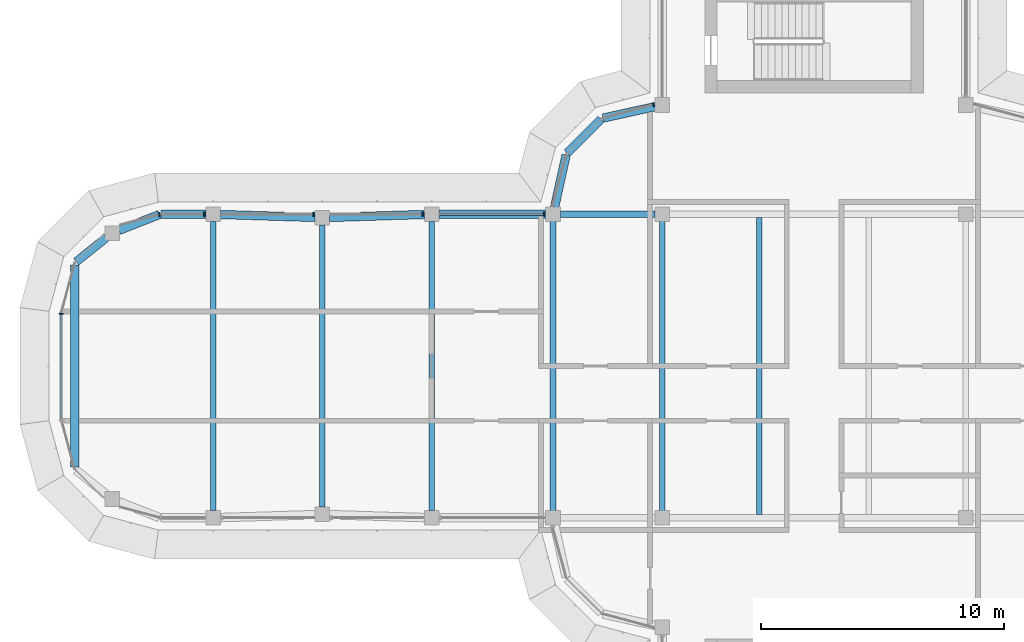
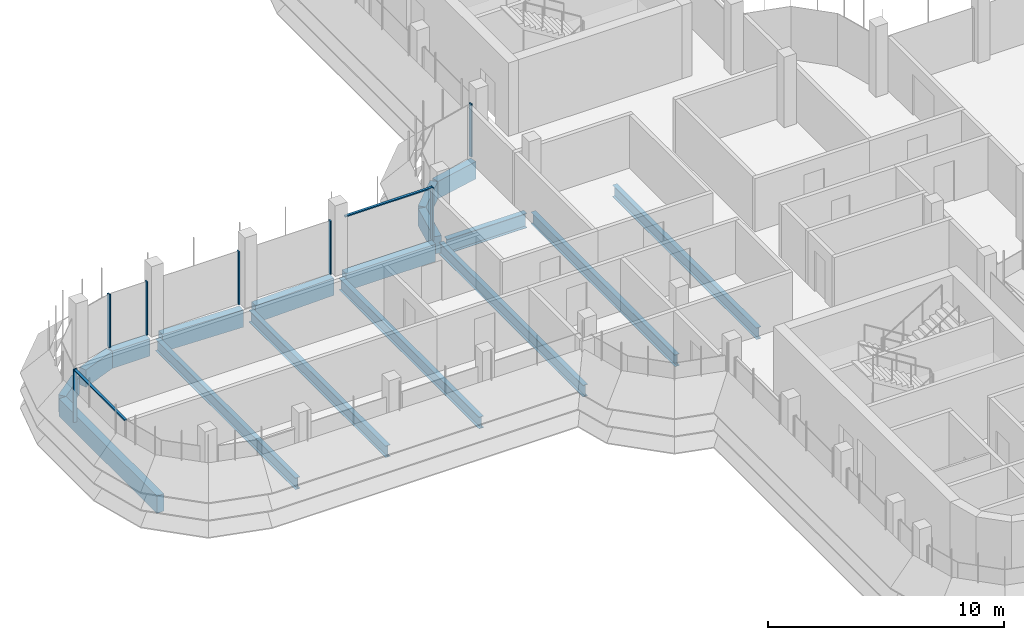
# One storey, part 6 of 19: 17 beams, 9 members, 4 elements without a shape of their own.
"""IFC4 building model written with IfcOpenShell, lengths in metres."""

from ifc_helpers import new_model, si_unit, direction, frame, origin, origin_2d, place, context, subcontext, project, spatial, polyline, rectangle, i_section, outline, extrude, source, transform, mapped, material, material_profile, profile_set, type_object, element, aggregate, save


model = new_model("IFC4")

# Units and contexts
model_context = context("Model", 3, precision=1e-05, world=origin(), true_north=direction((0.0, 1.0)))
body_context = subcontext(model_context, "Body", "Model", "MODEL_VIEW")
ifc_project = project(units=[si_unit("LENGTHUNIT", "METRE"), si_unit("AREAUNIT", "SQUARE_METRE"), si_unit("VOLUMEUNIT", "CUBIC_METRE"), si_unit("PLANEANGLEUNIT", "RADIAN"), si_unit("MASSUNIT", "GRAM", prefix="KILO")], contexts=[model_context])

# Site, building, storey
site_placement = place(None, origin())
site = spatial("IfcSite", under=ifc_project, at=site_placement, CompositionType="ELEMENT")
building_placement = place(site_placement, origin())
building = spatial("IfcBuilding", under=site, at=building_placement, Name="Zarbagh Exchange Tower", CompositionType="ELEMENT")
storey_placement = place(building_placement, frame((0.0, 0.0, 280.199951171875)))
storey = spatial("IfcBuildingStorey", under=building, at=storey_placement, Name="L69", CompositionType="ELEMENT", Elevation=280.199951171875)

# Beams
ifc_material_1 = material(Name="Steel ASTM A992 Gr 50", Category="steel")
ifc_material_profile_1 = material_profile(ifc_material_1, i_section(OverallWidth=0.228271484375, OverallDepth=0.607177734375, WebThickness=0.01123046875, FlangeThickness=0.017333984375, at=origin_2d()), Name="W24X76")
ifc_profile_set_1 = profile_set([ifc_material_profile_1], Name="Steel ASTM A992 Gr 50")
beam_type_1 = type_object("IfcBeamType", Name="Floor beam W24X76", PredefinedType="BEAM", material=ifc_profile_set_1)
for number, where, z_axis, x_axis, name in (
    (1, (-10.75, -6.11669921875, -0.453369140625), (0.0, 1.0, 0.0), (-1.0, 0.0, 0.0), "Steel floor beam"),
    (2, (-6.25, -6.11669921875, -0.453369140625), (0.0, 1.0, 0.0), (-1.0, 0.0, 0.0), "Steel floor beam"),
    (3, (-2.25, -6.11669921875, -0.453369140625), (0.0, 1.0, 0.0), (-1.0, 0.0, 0.0), "Steel floor beam"),
):
    element("IfcBeam", number, at=place(storey_placement, frame(where, z_axis=z_axis, x_axis=x_axis)), inside=storey, type_object=beam_type_1, Name=name, PredefinedType="BEAM", context=body_context, shape_type="SweptSolid", body=[
        extrude(i_section(OverallWidth=0.228271484375, OverallDepth=0.607177734375, WebThickness=0.01123046875, FlangeThickness=0.017333984375, at=origin_2d()), origin(), (0.0, 0.0, 1.0), 12.2333984375),
    ])
beam_1_placement = place(storey_placement, frame((-15.75, -5.949951171875, -0.453369140625), z_axis=(0.0, 1.0, 0.0), x_axis=(-1.0, 0.0, 0.0)))
element("IfcBeam", 4, at=beam_1_placement, inside=storey, type_object=beam_type_1, Name="Steel floor beam", PredefinedType="BEAM", context=body_context, shape_type="SweptSolid", body=[
    extrude(i_section(OverallWidth=0.228271484375, OverallDepth=0.607177734375, WebThickness=0.01123046875, FlangeThickness=0.017333984375, at=origin_2d()), origin(), (0.0, 0.0, 1.0), 11.89990234375),
])
beam_2_placement = place(storey_placement, frame((-20.25, -5.81005859375, -0.453369140625), z_axis=(0.0, 1.0, 0.0), x_axis=(-1.0, 0.0, 0.0)))
element("IfcBeam", 5, at=beam_2_placement, inside=storey, type_object=beam_type_1, Name="Steel floor beam", PredefinedType="BEAM", context=body_context, shape_type="SweptSolid", body=[
    extrude(i_section(OverallWidth=0.228271484375, OverallDepth=0.607177734375, WebThickness=0.01123046875, FlangeThickness=0.017333984375, at=origin_2d()), origin(), (0.0, 0.0, 1.0), 11.6201171875),
])
beam_3_placement = place(storey_placement, frame((-24.75, -5.949951171875, -0.453369140625), z_axis=(0.0, 1.0, 0.0), x_axis=(-1.0, 0.0, 0.0)))
element("IfcBeam", 6, at=beam_3_placement, inside=storey, type_object=beam_type_1, Name="Steel floor beam", PredefinedType="BEAM", context=body_context, shape_type="SweptSolid", body=[
    extrude(i_section(OverallWidth=0.228271484375, OverallDepth=0.607177734375, WebThickness=0.01123046875, FlangeThickness=0.017333984375, at=origin_2d()), origin(), (0.0, 0.0, 1.0), 11.89990234375),
])
ifc_material_profile_2 = material_profile(ifc_material_1, i_section(OverallWidth=0.2666015625, OverallDepth=0.7568359375, WebThickness=0.013916015625, FlangeThickness=0.019287109375, at=origin_2d()), Name="W30X108")
ifc_profile_set_2 = profile_set([ifc_material_profile_2], Name="Steel ASTM A992 Gr 50")
beam_type_2 = type_object("IfcBeamType", Name="Floor girder W30X108", PredefinedType="BEAM", material=ifc_profile_set_2)
beam_4_placement = place(storey_placement, frame((-10.449951171875, 6.25, -0.5283203125), z_axis=(1.0, 0.0, 0.0), x_axis=(0.0, 1.0, 0.0)))
element("IfcBeam", 7, at=beam_4_placement, inside=storey, type_object=beam_type_2, Name="Steel girder", PredefinedType="BEAM", context=body_context, shape_type="SweptSolid", body=[
    extrude(i_section(OverallWidth=0.2666015625, OverallDepth=0.7568359375, WebThickness=0.013916015625, FlangeThickness=0.019287109375, at=origin_2d()), origin(), (0.0, 0.0, 1.0), 3.89990234375),
])
ifc_material_2 = material(Name="Concrete C40/50", Category="concrete")
ifc_material_profile_3 = material_profile(ifc_material_2, rectangle(XDim=0.35009765625, YDim=0.89990234375, at=origin_2d()), Name="RC spandrel beam 350 x 900 C40/50")
ifc_profile_set_3 = profile_set([ifc_material_profile_3], Name="Concrete C40/50")
beam_type_3 = type_object("IfcBeamType", Name="RC spandrel beam 350 x 900 C40/50", PredefinedType="SPANDREL", material=ifc_profile_set_3)
beam_5_placement = place(storey_placement, frame((-30.44873046875, -4.156982421875, -0.599853515625), z_axis=(0.0, 1.0, 0.0), x_axis=(-1.0, 0.0, 0.0)))
element("IfcBeam", 8, at=beam_5_placement, inside=storey, type_object=beam_type_3, Name="RC spandrel beam", PredefinedType="SPANDREL", context=body_context, shape_type="SweptSolid", body=[
    extrude(rectangle(XDim=0.35009765625, YDim=0.89990234375, at=origin_2d()), origin(), (0.0, 0.0, 1.0), 8.31396484375),
])
beam_6_placement = place(storey_placement, frame((-30.38330078125, 4.293701171875, -0.599853515625), z_axis=(0.780584122498, 0.625050740104, 0.0), x_axis=(-0.625050740104, 0.780584122498, 0.0)))
element("IfcBeam", 9, at=beam_6_placement, inside=storey, type_object=beam_type_3, Name="RC spandrel beam", PredefinedType="SPANDREL", context=body_context, shape_type="SweptSolid", body=[
    extrude(rectangle(XDim=0.35009765625, YDim=0.89990234375, at=origin_2d()), origin(), (0.0, 0.0, 1.0), 1.590087890625),
])
beam_7_placement = place(storey_placement, frame((-28.62890625, 5.584716796875, -0.599853515625), z_axis=(0.930859366381, 0.365377667655, 0.0), x_axis=(-0.365377667655, 0.930859366381, 0.0)))
element("IfcBeam", 10, at=beam_7_placement, inside=storey, type_object=beam_type_3, Name="RC spandrel beam", PredefinedType="SPANDREL", context=body_context, shape_type="SweptSolid", body=[
    extrude(rectangle(XDim=0.35009765625, YDim=0.89990234375, at=origin_2d()), origin(), (0.0, 0.0, 1.0), 1.787353515625),
])
beam_8_placement = place(storey_placement, frame((-26.90087890625, 6.25, -0.599853515625), z_axis=(1.0, 0.0, 0.0), x_axis=(0.0, 1.0, 0.0)))
element("IfcBeam", 11, at=beam_8_placement, inside=storey, type_object=beam_type_3, Name="RC spandrel beam", PredefinedType="SPANDREL", context=body_context, shape_type="SweptSolid", body=[
    extrude(rectangle(XDim=0.35009765625, YDim=0.89990234375, at=origin_2d()), origin(), (0.0, 0.0, 1.0), 1.850830078125),
])
for number, where, z_axis, x_axis, name in (
    (12, (-24.4501953125, 6.24072265625, -0.599853515625), (0.999516460907, -0.031094121249, 0.0), (0.031094121249, 0.999516460907, 0.0), "RC spandrel beam"),
    (13, (-19.9501953125, 6.119384765625, -0.599853515625), (0.999516460907, 0.031094121249, 0.0), (-0.031094121249, 0.999516460907, 0.0), "RC spandrel beam"),
):
    element("IfcBeam", number, at=place(storey_placement, frame(where, z_axis=z_axis, x_axis=x_axis)), inside=storey, type_object=beam_type_3, Name=name, PredefinedType="SPANDREL", context=body_context, shape_type="SweptSolid", body=[
        extrude(rectangle(XDim=0.35009765625, YDim=0.89990234375, at=origin_2d()), origin(), (0.0, 0.0, 1.0), 3.90234375),
    ])
beam_9_placement = place(storey_placement, frame((-15.449951171875, 6.25, -0.599853515625), z_axis=(1.0, 0.0, 0.0), x_axis=(0.0, 1.0, 0.0)))
element("IfcBeam", 14, at=beam_9_placement, inside=storey, type_object=beam_type_3, Name="RC spandrel beam", PredefinedType="SPANDREL", context=body_context, shape_type="SweptSolid", body=[
    extrude(rectangle(XDim=0.35009765625, YDim=0.89990234375, at=origin_2d()), origin(), (0.0, 0.0, 1.0), 4.39990234375),
])
beam_10_placement = place(storey_placement, frame((-10.685302734375, 6.54296875, -0.599853515625), z_axis=(0.216025770228, 0.976387662047, 0.0), x_axis=(-0.976387662047, 0.216025770228, 0.0)))
element("IfcBeam", 15, at=beam_10_placement, inside=storey, type_object=beam_type_3, Name="RC spandrel beam", PredefinedType="SPANDREL", context=body_context, shape_type="SweptSolid", body=[
    extrude(rectangle(XDim=0.35009765625, YDim=0.89990234375, at=origin_2d()), origin(), (0.0, 0.0, 1.0), 2.200439453125),
])
beam_11_placement = place(storey_placement, frame((-10.16259765625, 8.77734375, -0.599853515625), z_axis=(0.707106781187, 0.707106781187, 0.0), x_axis=(-0.707106781187, 0.707106781187, 0.0)))
element("IfcBeam", 16, at=beam_11_placement, inside=storey, type_object=beam_type_3, Name="RC spandrel beam", PredefinedType="SPANDREL", context=body_context, shape_type="SweptSolid", body=[
    extrude(rectangle(XDim=0.35009765625, YDim=0.89990234375, at=origin_2d()), origin(), (0.0, 0.0, 1.0), 1.958984375),
])
beam_12_placement = place(storey_placement, frame((-8.69140625, 10.2099609375, -0.599853515625), z_axis=(0.976387662047, 0.216025770228, 0.0), x_axis=(-0.216025770228, 0.976387662047, 0.0)))
element("IfcBeam", 17, at=beam_12_placement, inside=storey, type_object=beam_type_3, Name="RC spandrel beam", PredefinedType="SPANDREL", context=body_context, shape_type="SweptSolid", body=[
    extrude(rectangle(XDim=0.35009765625, YDim=0.89990234375, at=origin_2d()), origin(), (0.0, 0.0, 1.0), 2.200439453125),
])

# Curtain wall, member
ifc_material_3 = material(Name="Anodised aluminium frame and glazing", Category="aluminium")
curtain_wall_type = type_object("IfcCurtainWallType", Name="CWB Ribbon glazing, upper zones", PredefinedType="NOTDEFINED", material=ifc_material_3)
curtain_wall_1_placement = place(storey_placement, origin())
curtain_wall_1 = element("IfcCurtainWall", 18, at=curtain_wall_1_placement, inside=storey, type_object=curtain_wall_type, Name="CWB29 curtain wall", PredefinedType="NOTDEFINED")
ifc_material_4 = material(Name="Anodised aluminium frame", Category="aluminium")
member_type_1 = type_object("IfcMemberType", Name="MUB Mullion, anodised aluminium frame", PredefinedType="MULLION", material=ifc_material_4)
shared_shape_1 = source(origin(), body_context, "Body", "SweptSolid", [
    extrude(outline(polyline([(0.0, -0.080078125), (0.06005859375, -0.080078125), (0.06005859375, 0.080078125), (0.0, 0.080078125), (0.0, -0.080078125)])), origin(), (0.0, 0.0, 1.0), 2.75),
])
placement = place(storey_placement, origin())
member_1 = element("IfcMember", 19, at=placement, type_object=member_type_1, Name="CWB29 mullion 1.1", PredefinedType="MULLION", context=body_context, shape_type="MappedRepresentation", body=[
    mapped(shared_shape_1, transform((-6.590087890625, 10.775146484375, 0.0), x_axis=(-0.965924289636, -0.258824779902, 0.0), y_axis=(0.258824779902, -0.965924289636, 0.0), z_axis=(0.0, 0.0, 1.0))),
])
aggregate(curtain_wall_1, [member_1])

# Curtain wall, members
curtain_wall_2_placement = place(storey_placement, origin())
curtain_wall_2 = element("IfcCurtainWall", 20, at=curtain_wall_2_placement, inside=storey, type_object=curtain_wall_type, Name="CWB58 curtain wall", PredefinedType="NOTDEFINED")
member_2 = element("IfcMember", 21, at=placement, type_object=member_type_1, Name="CWB58 mullion 1.1", PredefinedType="MULLION", context=body_context, shape_type="MappedRepresentation", body=[
    mapped(shared_shape_1, transform((-11.090087890625, 6.25, 0.0), x_axis=(-1.0, 0.0, 0.0), y_axis=(0.0, -1.0, 0.0), z_axis=(0.0, 0.0, 1.0))),
])
member_3 = element("IfcMember", 22, at=placement, type_object=member_type_1, Name="CWB58 mullion 2.1", PredefinedType="MULLION", context=body_context, shape_type="MappedRepresentation", body=[
    mapped(shared_shape_1, transform((-16.090087890625, 6.25, 0.0), x_axis=(-1.0, 0.0, 0.0), y_axis=(0.0, -1.0, 0.0), z_axis=(0.0, 0.0, 1.0))),
])
member_4 = element("IfcMember", 23, at=placement, type_object=member_type_1, Name="CWB58 mullion 3.1", PredefinedType="MULLION", context=body_context, shape_type="MappedRepresentation", body=[
    mapped(shared_shape_1, transform((-20.590087890625, 6.25, 0.0), x_axis=(-1.0, 0.0, 0.0), y_axis=(0.0, -1.0, 0.0), z_axis=(0.0, 0.0, 1.0))),
])
member_5 = element("IfcMember", 24, at=placement, type_object=member_type_1, Name="CWB58 mullion 4.1", PredefinedType="MULLION", context=body_context, shape_type="MappedRepresentation", body=[
    mapped(shared_shape_1, transform((-25.090087890625, 6.25, 0.0), x_axis=(-1.0, 0.0, 0.0), y_axis=(0.0, -1.0, 0.0), z_axis=(0.0, 0.0, 1.0))),
])

# Curtain wall, member
curtain_wall_3_placement = place(storey_placement, origin())
curtain_wall_3 = element("IfcCurtainWall", 25, at=curtain_wall_3_placement, inside=storey, type_object=curtain_wall_type, Name="CWB59 curtain wall", PredefinedType="NOTDEFINED")
member_6 = element("IfcMember", 26, at=placement, type_object=member_type_1, Name="CWB59 mullion 1.1", PredefinedType="MULLION", context=body_context, shape_type="MappedRepresentation", body=[
    mapped(shared_shape_1, transform((-26.93408203125, 6.25, 0.0), x_axis=(-0.965924289636, -0.258824779902, 0.0), y_axis=(0.258824779902, -0.965924289636, 0.0), z_axis=(0.0, 0.0, 1.0))),
])
aggregate(curtain_wall_3, [member_6])

# Curtain wall, members
curtain_wall_4_placement = place(storey_placement, origin())
curtain_wall_4 = element("IfcCurtainWall", 27, at=curtain_wall_4_placement, inside=storey, type_object=curtain_wall_type, Name="CWB66 curtain wall", PredefinedType="NOTDEFINED")
member_7 = element("IfcMember", 28, at=placement, type_object=member_type_1, Name="CWB66 mullion 1.1", PredefinedType="MULLION", context=body_context, shape_type="MappedRepresentation", body=[
    mapped(shared_shape_1, transform((-31.0, 2.18408203125, 0.0), x_axis=(0.0, -1.0, 0.0), y_axis=(1.0, 0.0, 0.0), z_axis=(0.0, 0.0, 1.0))),
])
member_type_2 = type_object("IfcMemberType", Name="TRB Transom, anodised aluminium frame", PredefinedType="USERDEFINED", material=ifc_material_4)
shared_shape_2 = source(origin(), body_context, "Body", "SweptSolid", [
    extrude(outline(polyline([(-0.06005859375, -0.06005859375), (0.0, -0.06005859375), (0.0, 0.06005859375), (-0.06005859375, 0.06005859375), (-0.06005859375, -0.06005859375)])), origin(), (0.0, 0.0, 1.0), 4.308349609375),
])
member_8 = element("IfcMember", 29, at=placement, type_object=member_type_2, Name="CWB66 transom 1.1", ObjectType="TRANSOM", PredefinedType="USERDEFINED", context=body_context, shape_type="MappedRepresentation", body=[
    mapped(shared_shape_2, transform((-31.0, 2.124267578125, 2.75), x_axis=(0.0, 0.0, 1.0), y_axis=(-1.0, 0.0, 0.0), z_axis=(0.0, -1.0, 0.0))),
])
aggregate(curtain_wall_4, [member_7, member_8])

# Member
shared_shape_3 = source(origin(), body_context, "Body", "SweptSolid", [
    extrude(outline(polyline([(-0.06005859375, -0.06005859375), (0.0, -0.06005859375), (0.0, 0.06005859375), (-0.06005859375, 0.06005859375), (-0.06005859375, -0.06005859375)])), origin(), (0.0, 0.0, 1.0), 4.260009765625),
])
member_9 = element("IfcMember", 30, at=placement, type_object=member_type_2, Name="CWB58 transom 1.1", ObjectType="TRANSOM", PredefinedType="USERDEFINED", context=body_context, shape_type="MappedRepresentation", body=[
    mapped(shared_shape_3, transform((-11.150146484375, 6.25, 2.75), x_axis=(0.0, 0.0, 1.0), y_axis=(0.0, 1.0, 0.0), z_axis=(-1.0, 0.0, 0.0))),
])

aggregate(curtain_wall_2, [member_2, member_9, member_3, member_4, member_5])

save(model, "model.ifc")
